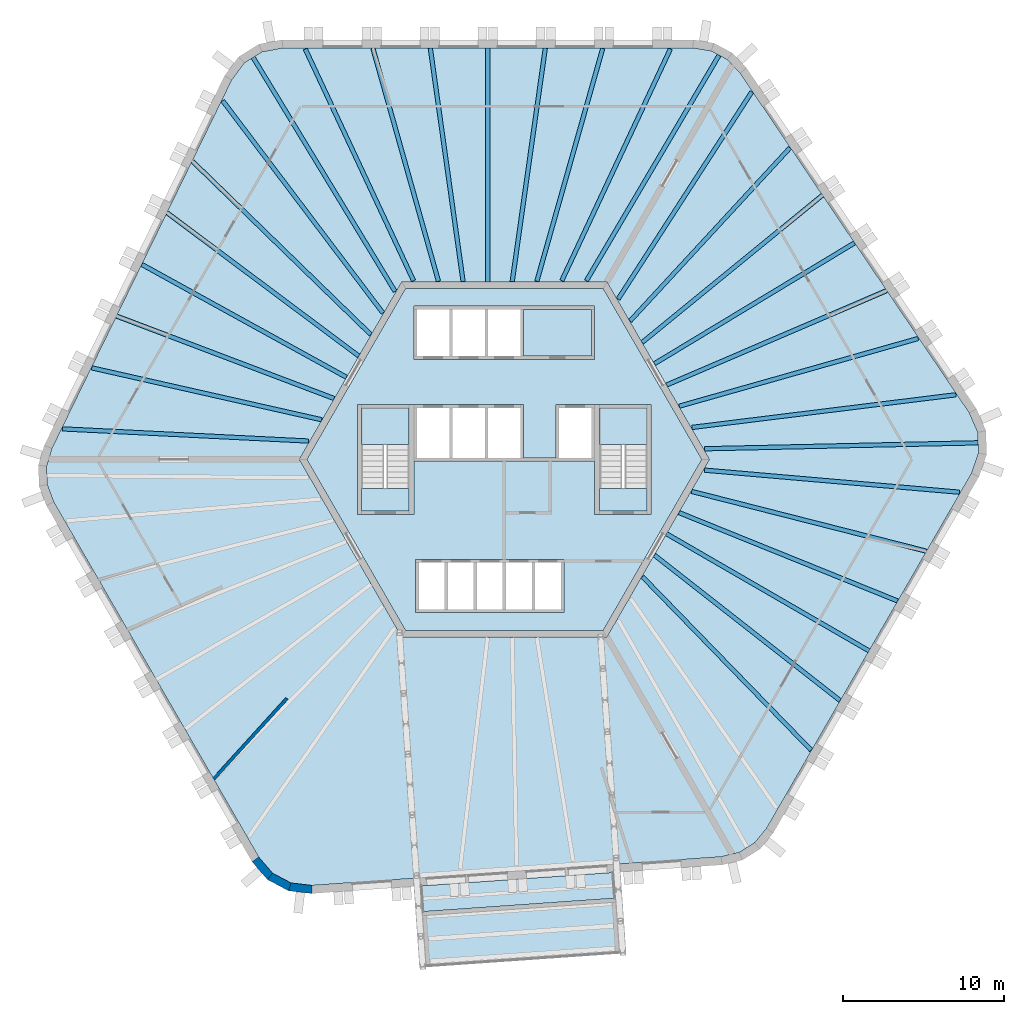
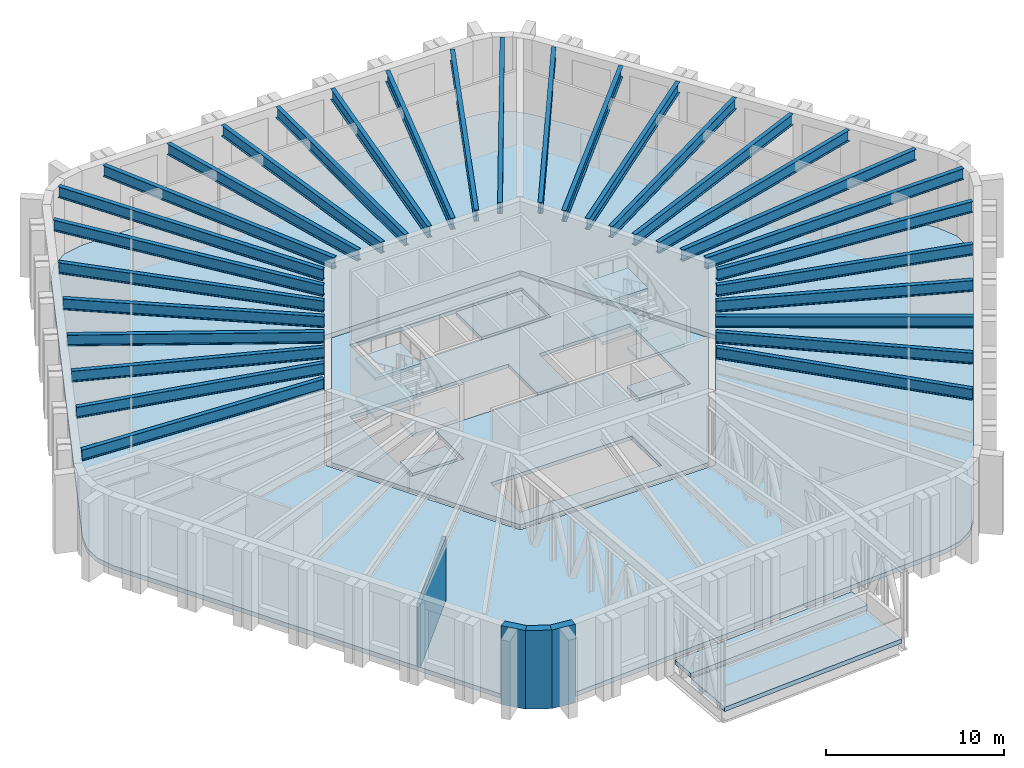
# One storey, part 2 of 9: 30 beams, 13 slabs, 4 walls, 2 elements without a shape of their own.
"""IFC4 building model written with IfcOpenShell, lengths in metres."""

from ifc_helpers import new_model, si_unit, direction, frame, frame_2d, origin, origin_2d, place, context, subcontext, project, spatial, polyline, rectangle, i_section, outline, extrude, material, layer, layer_set, material_profile, profile_set, type_object, element, aggregate, save


model = new_model("IFC4")

# Units and contexts
model_context = context("Model", 3, precision=1e-05, world=origin(), true_north=direction((0.0, 1.0)))
body_context = subcontext(model_context, "Body", "Model", "MODEL_VIEW")
ifc_project = project(units=[si_unit("LENGTHUNIT", "METRE"), si_unit("AREAUNIT", "SQUARE_METRE"), si_unit("VOLUMEUNIT", "CUBIC_METRE"), si_unit("PLANEANGLEUNIT", "RADIAN"), si_unit("MASSUNIT", "GRAM", prefix="KILO")], contexts=[model_context])

# Site, building, storey
site_placement = place(None, origin())
site = spatial("IfcSite", under=ifc_project, at=site_placement, CompositionType="ELEMENT")
building_placement = place(site_placement, origin())
building = spatial("IfcBuilding", under=site, at=building_placement, Name="Tarnside Tower", CompositionType="ELEMENT")
storey_placement = place(building_placement, frame((0.0, 0.0, 338.10009765625)))
storey = spatial("IfcBuildingStorey", under=building, at=storey_placement, Name="L82", CompositionType="ELEMENT", Elevation=338.10009765625)

# Beams
ifc_material_1 = material(Name="Steel S355", Category="steel")
ifc_material_profile_1 = material_profile(ifc_material_1, i_section(OverallWidth=0.26513671875, OverallDepth=0.75390625, WebThickness=0.0126953125, FlangeThickness=0.017578125, FilletRadius=0.0166015625, at=origin_2d()), Name="UB 762x267x147")
ifc_profile_set_1 = profile_set([ifc_material_profile_1], Name="Steel S355")
beam_type_1 = type_object("IfcBeamType", Name="Floor beam UB 762x267x147", PredefinedType="BEAM", material=ifc_profile_set_1)
beam_1_placement = place(storey_placement, frame((6.093505859375, 25.46142578125, 4.722900390625), z_axis=(-0.272147186115, -0.962255636039, 0.0), x_axis=(0.962255636039, -0.272147186115, 0.0)))
element("IfcBeam", 1, at=beam_1_placement, inside=storey, type_object=beam_type_1, Name="Floor beam F1.02", PredefinedType="BEAM", context=body_context, shape_type="SweptSolid", body=[
    extrude(i_section(OverallWidth=0.26513671875, OverallDepth=0.75390625, WebThickness=0.0126953125, FlangeThickness=0.017578125, FilletRadius=0.0166015625, at=origin_2d()), origin(), (0.0, 0.0, 1.0), 14.988525390625),
])
beam_2_placement = place(storey_placement, frame((2.537109375, 25.480224609375, 4.722900390625), z_axis=(-0.140349428967, -0.990102034029, 0.0), x_axis=(0.990102034029, -0.140349428967, 0.0)))
element("IfcBeam", 2, at=beam_2_placement, inside=storey, type_object=beam_type_1, Name="Floor beam F1.03", PredefinedType="BEAM", context=body_context, shape_type="SweptSolid", body=[
    extrude(i_section(OverallWidth=0.26513671875, OverallDepth=0.75390625, WebThickness=0.0126953125, FlangeThickness=0.017578125, FilletRadius=0.0166015625, at=origin_2d()), origin(), (0.0, 0.0, 1.0), 14.60498046875),
])
beam_3_placement = place(storey_placement, frame((-1.02490234375, 25.5, 4.722900390625), z_axis=(-0.000656653953, -0.999999784403, 0.0), x_axis=(0.999999784403, -0.000656653953, 0.0)))
element("IfcBeam", 3, at=beam_3_placement, inside=storey, type_object=beam_type_1, Name="Floor beam F1.04", PredefinedType="BEAM", context=body_context, shape_type="SweptSolid", body=[
    extrude(i_section(OverallWidth=0.26513671875, OverallDepth=0.75390625, WebThickness=0.0126953125, FlangeThickness=0.017578125, FilletRadius=0.0166015625, at=origin_2d()), origin(), (0.0, 0.0, 1.0), 14.5),
])
beam_4_placement = place(storey_placement, frame((-4.5869140625, 25.480224609375, 4.722900390625), z_axis=(0.139070897001, -0.990282427193, 0.0), x_axis=(0.990282427193, 0.139070897001, 0.0)))
element("IfcBeam", 4, at=beam_4_placement, inside=storey, type_object=beam_type_1, Name="Floor beam F1.05", PredefinedType="BEAM", context=body_context, shape_type="SweptSolid", body=[
    extrude(i_section(OverallWidth=0.26513671875, OverallDepth=0.75390625, WebThickness=0.0126953125, FlangeThickness=0.017578125, FilletRadius=0.0166015625, at=origin_2d()), origin(), (0.0, 0.0, 1.0), 14.602294921875),
])
beam_5_placement = place(storey_placement, frame((-8.1435546875, 25.46142578125, 4.722900390625), z_axis=(0.270985274434, -0.962583493023, 0.0), x_axis=(0.962583493023, 0.270985274434, 0.0)))
element("IfcBeam", 5, at=beam_5_placement, inside=storey, type_object=beam_type_1, Name="Floor beam F1.06", PredefinedType="BEAM", context=body_context, shape_type="SweptSolid", body=[
    extrude(i_section(OverallWidth=0.26513671875, OverallDepth=0.75390625, WebThickness=0.0126953125, FlangeThickness=0.017578125, FilletRadius=0.0166015625, at=origin_2d()), origin(), (0.0, 0.0, 1.0), 14.9833984375),
])
beam_6_placement = place(storey_placement, frame((-19.306640625, 18.455078125, 4.722900390625), z_axis=(0.717195036222, -0.696872499112, 0.0), x_axis=(0.696872499112, 0.717195036222, 0.0)))
element("IfcBeam", 6, at=beam_6_placement, inside=storey, type_object=beam_type_1, Name="Floor beam F2.02", PredefinedType="BEAM", context=body_context, shape_type="SweptSolid", body=[
    extrude(i_section(OverallWidth=0.26513671875, OverallDepth=0.75390625, WebThickness=0.0126953125, FlangeThickness=0.017578125, FilletRadius=0.0166015625, at=origin_2d()), origin(), (0.0, 0.0, 1.0), 15.376953125),
])
beam_7_placement = place(storey_placement, frame((-20.880615234375, 15.268310546875, 4.722900390625), z_axis=(0.801012330693, -0.598647848136, 0.0), x_axis=(0.598647848136, 0.801012330693, 0.0)))
element("IfcBeam", 7, at=beam_7_placement, inside=storey, type_object=beam_type_1, Name="Floor beam F2.03", PredefinedType="BEAM", context=body_context, shape_type="SweptSolid", body=[
    extrude(i_section(OverallWidth=0.26513671875, OverallDepth=0.75390625, WebThickness=0.0126953125, FlangeThickness=0.017578125, FilletRadius=0.0166015625, at=origin_2d()), origin(), (0.0, 0.0, 1.0), 14.800537109375),
])
beam_8_placement = place(storey_placement, frame((-22.4580078125, 12.07861328125, 4.722900390625), z_axis=(0.875665021242, -0.482919010366, 0.0), x_axis=(0.482919010366, 0.875665021242, 0.0)))
element("IfcBeam", 8, at=beam_8_placement, inside=storey, type_object=beam_type_1, Name="Floor beam F2.04", PredefinedType="BEAM", context=body_context, shape_type="SweptSolid", body=[
    extrude(i_section(OverallWidth=0.26513671875, OverallDepth=0.75390625, WebThickness=0.0126953125, FlangeThickness=0.017578125, FilletRadius=0.0166015625, at=origin_2d()), origin(), (0.0, 0.0, 1.0), 14.471435546875),
])
beam_9_placement = place(storey_placement, frame((-24.019287109375, 8.87744140625, 4.722900390625), z_axis=(0.935114701444, -0.35434516385, 0.0), x_axis=(0.35434516385, 0.935114701444, 0.0)))
element("IfcBeam", 9, at=beam_9_placement, inside=storey, type_object=beam_type_1, Name="Floor beam F2.05", PredefinedType="BEAM", context=body_context, shape_type="SweptSolid", body=[
    extrude(i_section(OverallWidth=0.26513671875, OverallDepth=0.75390625, WebThickness=0.0126953125, FlangeThickness=0.017578125, FilletRadius=0.0166015625, at=origin_2d()), origin(), (0.0, 0.0, 1.0), 14.407470703125),
])
beam_10_placement = place(storey_placement, frame((-25.561279296875, 5.67236328125, 4.722900390625), z_axis=(0.975444132584, -0.220247007263, 0.0), x_axis=(0.220247007263, 0.975444132584, 0.0)))
element("IfcBeam", 10, at=beam_10_placement, inside=storey, type_object=beam_type_1, Name="Floor beam F2.06", PredefinedType="BEAM", context=body_context, shape_type="SweptSolid", body=[
    extrude(i_section(OverallWidth=0.26513671875, OverallDepth=0.75390625, WebThickness=0.0126953125, FlangeThickness=0.017578125, FilletRadius=0.0166015625, at=origin_2d()), origin(), (0.0, 0.0, 1.0), 14.59326171875),
])
beam_11_placement = place(storey_placement, frame((-27.387451171875, 1.8916015625, 4.722900390625), z_axis=(0.998782714642, -0.04932635129, 0.0), x_axis=(0.04932635129, 0.998782714642, 0.0)))
element("IfcBeam", 11, at=beam_11_placement, inside=storey, type_object=beam_type_1, Name="Floor beam F2.07", PredefinedType="BEAM", context=body_context, shape_type="SweptSolid", body=[
    extrude(i_section(OverallWidth=0.26513671875, OverallDepth=0.75390625, WebThickness=0.0126953125, FlangeThickness=0.017578125, FilletRadius=0.0166015625, at=origin_2d()), origin(), (0.0, 0.0, 1.0), 15.279052734375),
])
beam_12_placement = place(storey_placement, frame((19.00341796875, -18.008056640625, 4.722900390625), z_axis=(-0.697249797022, 0.716828236437, 0.0), x_axis=(-0.716828236437, -0.697249797022, 0.0)))
element("IfcBeam", 12, at=beam_12_placement, inside=storey, type_object=beam_type_1, Name="Floor beam F5.02", PredefinedType="BEAM", context=body_context, shape_type="SweptSolid", body=[
    extrude(i_section(OverallWidth=0.26513671875, OverallDepth=0.75390625, WebThickness=0.0126953125, FlangeThickness=0.017578125, FilletRadius=0.0166015625, at=origin_2d()), origin(), (0.0, 0.0, 1.0), 14.98876953125),
])
beam_13_placement = place(storey_placement, frame((20.798095703125, -14.937255859375, 4.722900390625), z_axis=(-0.787282014804, 0.616593082321, 0.0), x_axis=(-0.616593082321, -0.787282014804, 0.0)))
element("IfcBeam", 13, at=beam_13_placement, inside=storey, type_object=beam_type_1, Name="Floor beam F5.03", PredefinedType="BEAM", context=body_context, shape_type="SweptSolid", body=[
    extrude(i_section(OverallWidth=0.26513671875, OverallDepth=0.75390625, WebThickness=0.0126953125, FlangeThickness=0.017578125, FilletRadius=0.0166015625, at=origin_2d()), origin(), (0.0, 0.0, 1.0), 14.60498046875),
])
beam_14_placement = place(storey_placement, frame((22.59619140625, -11.8623046875, 4.722900390625), z_axis=(-0.865697438889, 0.500567622106, 0.0), x_axis=(-0.500567622106, -0.865697438889, 0.0)))
element("IfcBeam", 14, at=beam_14_placement, inside=storey, type_object=beam_type_1, Name="Floor beam F5.04", PredefinedType="BEAM", context=body_context, shape_type="SweptSolid", body=[
    extrude(i_section(OverallWidth=0.26513671875, OverallDepth=0.75390625, WebThickness=0.0126953125, FlangeThickness=0.017578125, FilletRadius=0.0166015625, at=origin_2d()), origin(), (0.0, 0.0, 1.0), 14.500244140625),
])
beam_15_placement = place(storey_placement, frame((24.35986328125, -8.767578125, 4.722900390625), z_axis=(-0.927145907531, 0.374700501933, 0.0), x_axis=(-0.374700501933, -0.927145907531, 0.0)))
element("IfcBeam", 15, at=beam_15_placement, inside=storey, type_object=beam_type_1, Name="Floor beam F5.05", PredefinedType="BEAM", context=body_context, shape_type="SweptSolid", body=[
    extrude(i_section(OverallWidth=0.26513671875, OverallDepth=0.75390625, WebThickness=0.0126953125, FlangeThickness=0.017578125, FilletRadius=0.0166015625, at=origin_2d()), origin(), (0.0, 0.0, 1.0), 14.60205078125),
])
beam_16_placement = place(storey_placement, frame((26.1220703125, -5.67822265625, 4.722900390625), z_axis=(-0.969115089144, 0.246608888716, 0.0), x_axis=(-0.246608888716, -0.969115089144, 0.0)))
element("IfcBeam", 16, at=beam_16_placement, inside=storey, type_object=beam_type_1, Name="Floor beam F5.06", PredefinedType="BEAM", context=body_context, shape_type="SweptSolid", body=[
    extrude(i_section(OverallWidth=0.26513671875, OverallDepth=0.75390625, WebThickness=0.0126953125, FlangeThickness=0.017578125, FilletRadius=0.0166015625, at=origin_2d()), origin(), (0.0, 0.0, 1.0), 14.9833984375),
])
beam_17_placement = place(storey_placement, frame((25.635986328125, 7.492431640625, 4.722900390625), z_axis=(-0.962107707634, -0.272669688288, 0.0), x_axis=(0.272669688288, -0.962107707634, 0.0)))
element("IfcBeam", 17, at=beam_17_placement, inside=storey, type_object=beam_type_1, Name="Floor beam F6.02", PredefinedType="BEAM", context=body_context, shape_type="SweptSolid", body=[
    extrude(i_section(OverallWidth=0.26513671875, OverallDepth=0.75390625, WebThickness=0.0126953125, FlangeThickness=0.017578125, FilletRadius=0.0166015625, at=origin_2d()), origin(), (0.0, 0.0, 1.0), 15.377197265625),
])
beam_18_placement = place(storey_placement, frame((23.6630859375, 10.448974609375, 4.722900390625), z_axis=(-0.918952095754, -0.39436917439, 0.0), x_axis=(0.39436917439, -0.918952095754, 0.0)))
element("IfcBeam", 18, at=beam_18_placement, inside=storey, type_object=beam_type_1, Name="Floor beam F6.03", PredefinedType="BEAM", context=body_context, shape_type="SweptSolid", body=[
    extrude(i_section(OverallWidth=0.26513671875, OverallDepth=0.75390625, WebThickness=0.0126953125, FlangeThickness=0.017578125, FilletRadius=0.0166015625, at=origin_2d()), origin(), (0.0, 0.0, 1.0), 14.800537109375),
])
beam_19_placement = place(storey_placement, frame((21.689208984375, 13.409912109375, 4.722900390625), z_axis=(-0.856050078428, -0.516892893377, 0.0), x_axis=(0.516892893377, -0.856050078428, 0.0)))
element("IfcBeam", 19, at=beam_19_placement, inside=storey, type_object=beam_type_1, Name="Floor beam F6.04", PredefinedType="BEAM", context=body_context, shape_type="SweptSolid", body=[
    extrude(i_section(OverallWidth=0.26513671875, OverallDepth=0.75390625, WebThickness=0.0126953125, FlangeThickness=0.017578125, FilletRadius=0.0166015625, at=origin_2d()), origin(), (0.0, 0.0, 1.0), 14.470947265625),
])
beam_20_placement = place(storey_placement, frame((19.69775390625, 16.36279296875, 4.722900390625), z_axis=(-0.774434987127, -0.632653499724, 0.0), x_axis=(0.632653499724, -0.774434987127, 0.0)))
element("IfcBeam", 20, at=beam_20_placement, inside=storey, type_object=beam_type_1, Name="Floor beam F6.05", PredefinedType="BEAM", context=body_context, shape_type="SweptSolid", body=[
    extrude(i_section(OverallWidth=0.26513671875, OverallDepth=0.75390625, WebThickness=0.0126953125, FlangeThickness=0.017578125, FilletRadius=0.0166015625, at=origin_2d()), origin(), (0.0, 0.0, 1.0), 14.407470703125),
])
beam_21_placement = place(storey_placement, frame((17.693115234375, 19.30078125, 4.722900390625), z_axis=(-0.678451014629, -0.73464564298, 0.0), x_axis=(0.73464564298, -0.678451014629, 0.0)))
element("IfcBeam", 21, at=beam_21_placement, inside=storey, type_object=beam_type_1, Name="Floor beam F6.06", PredefinedType="BEAM", context=body_context, shape_type="SweptSolid", body=[
    extrude(i_section(OverallWidth=0.26513671875, OverallDepth=0.75390625, WebThickness=0.0126953125, FlangeThickness=0.017578125, FilletRadius=0.0166015625, at=origin_2d()), origin(), (0.0, 0.0, 1.0), 14.59326171875),
])
beam_22_placement = place(storey_placement, frame((15.331787109375, 22.7724609375, 4.722900390625), z_axis=(-0.542092657859, -0.840318719472, 0.0), x_axis=(0.840318719472, -0.542092657859, 0.0)))
element("IfcBeam", 22, at=beam_22_placement, inside=storey, type_object=beam_type_1, Name="Floor beam F6.07", PredefinedType="BEAM", context=body_context, shape_type="SweptSolid", body=[
    extrude(i_section(OverallWidth=0.26513671875, OverallDepth=0.75390625, WebThickness=0.0126953125, FlangeThickness=0.017578125, FilletRadius=0.0166015625, at=origin_2d()), origin(), (0.0, 0.0, 1.0), 15.279052734375),
])
ifc_material_profile_2 = material_profile(ifc_material_1, i_section(OverallWidth=0.2666015625, OverallDepth=0.76220703125, WebThickness=0.014404296875, FlangeThickness=0.021484375, FilletRadius=0.0166015625, at=origin_2d()), Name="UB 762x267x173")
ifc_profile_set_2 = profile_set([ifc_material_profile_2], Name="Steel S355")
beam_type_2 = type_object("IfcBeamType", Name="Floor beam UB 762x267x173", PredefinedType="BEAM", material=ifc_profile_set_2)
beam_23_placement = place(storey_placement, frame((10.285400390625, 25.427490234375, 4.71875), z_axis=(-0.424439399801, -0.905456346765, 0.0), x_axis=(0.905456346765, -0.424439399801, 0.0)))
element("IfcBeam", 23, at=beam_23_placement, inside=storey, type_object=beam_type_2, Name="Floor beam F1.01", PredefinedType="BEAM", context=body_context, shape_type="SweptSolid", body=[
    extrude(i_section(OverallWidth=0.2666015625, OverallDepth=0.76220703125, WebThickness=0.014404296875, FlangeThickness=0.021484375, FilletRadius=0.0166015625, at=origin_2d()), origin(), (0.0, 0.0, 1.0), 15.853759765625),
])
beam_24_placement = place(storey_placement, frame((-12.335205078125, 25.427490234375, 4.71875), z_axis=(0.423453877267, -0.905917663934, 0.0), x_axis=(0.905917663934, 0.423453877267, 0.0)))
element("IfcBeam", 24, at=beam_24_placement, inside=storey, type_object=beam_type_2, Name="Floor beam F1.07", PredefinedType="BEAM", context=body_context, shape_type="SweptSolid", body=[
    extrude(i_section(OverallWidth=0.2666015625, OverallDepth=0.76220703125, WebThickness=0.014404296875, FlangeThickness=0.021484375, FilletRadius=0.0166015625, at=origin_2d()), origin(), (0.0, 0.0, 1.0), 15.845703125),
])
beam_25_placement = place(storey_placement, frame((-15.5703125, 24.91162109375, 4.71875), z_axis=(0.518716683755, -0.854946198304, 0.0), x_axis=(0.854946198304, 0.518716683755, 0.0)))
element("IfcBeam", 25, at=beam_25_placement, inside=storey, type_object=beam_type_2, Name="Floor beam C1", PredefinedType="BEAM", context=body_context, shape_type="SweptSolid", body=[
    extrude(i_section(OverallWidth=0.2666015625, OverallDepth=0.76220703125, WebThickness=0.014404296875, FlangeThickness=0.021484375, FilletRadius=0.0166015625, at=origin_2d()), origin(), (0.0, 0.0, 1.0), 16.961181640625),
])
beam_26_placement = place(storey_placement, frame((-17.453369140625, 22.22265625, 4.71875), z_axis=(0.60257184857, -0.798064638554, 0.0), x_axis=(0.798064638554, 0.60257184857, 0.0)))
element("IfcBeam", 26, at=beam_26_placement, inside=storey, type_object=beam_type_2, Name="Floor beam F2.01", PredefinedType="BEAM", context=body_context, shape_type="SweptSolid", body=[
    extrude(i_section(OverallWidth=0.2666015625, OverallDepth=0.76220703125, WebThickness=0.014404296875, FlangeThickness=0.021484375, FilletRadius=0.0166015625, at=origin_2d()), origin(), (0.0, 0.0, 1.0), 16.474853515625),
])
beam_27_placement = place(storey_placement, frame((28.1884765625, -2.03125, 4.71875), z_axis=(-0.996273584651, 0.086249316098, 0.0), x_axis=(-0.086249316098, -0.996273584651, 0.0)))
element("IfcBeam", 27, at=beam_27_placement, inside=storey, type_object=beam_type_2, Name="Floor beam F5.07", PredefinedType="BEAM", context=body_context, shape_type="SweptSolid", body=[
    extrude(i_section(OverallWidth=0.2666015625, OverallDepth=0.76220703125, WebThickness=0.014404296875, FlangeThickness=0.021484375, FilletRadius=0.0166015625, at=origin_2d()), origin(), (0.0, 0.0, 1.0), 15.845947265625),
])
beam_28_placement = place(storey_placement, frame((29.359130859375, 1.028564453125, 4.71875), z_axis=(-0.999763142455, -0.02176370807, 0.0), x_axis=(0.02176370807, -0.999763142455, 0.0)))
element("IfcBeam", 28, at=beam_28_placement, inside=storey, type_object=beam_type_2, Name="Floor beam C5", PredefinedType="BEAM", context=body_context, shape_type="SweptSolid", body=[
    extrude(i_section(OverallWidth=0.2666015625, OverallDepth=0.76220703125, WebThickness=0.014404296875, FlangeThickness=0.021484375, FilletRadius=0.0166015625, at=origin_2d()), origin(), (0.0, 0.0, 1.0), 16.961181640625),
])
beam_29_placement = place(storey_placement, frame((27.971923828125, 4.003662109375, 4.71875), z_axis=(-0.992432359781, -0.122792553766, 0.0), x_axis=(0.122792553766, -0.992432359781, 0.0)))
element("IfcBeam", 29, at=beam_29_placement, inside=storey, type_object=beam_type_2, Name="Floor beam F6.01", PredefinedType="BEAM", context=body_context, shape_type="SweptSolid", body=[
    extrude(i_section(OverallWidth=0.2666015625, OverallDepth=0.76220703125, WebThickness=0.014404296875, FlangeThickness=0.021484375, FilletRadius=0.0166015625, at=origin_2d()), origin(), (0.0, 0.0, 1.0), 16.474609375),
])
beam_30_placement = place(storey_placement, frame((13.2978515625, 25.0341796875, 4.71875), z_axis=(-0.507080048325, -0.861898964259, 0.0), x_axis=(0.861898964259, -0.507080048325, 0.0)))
element("IfcBeam", 30, at=beam_30_placement, inside=storey, type_object=beam_type_2, Name="Floor beam C6", PredefinedType="BEAM", context=body_context, shape_type="SweptSolid", body=[
    extrude(i_section(OverallWidth=0.2666015625, OverallDepth=0.76220703125, WebThickness=0.014404296875, FlangeThickness=0.021484375, FilletRadius=0.0166015625, at=origin_2d()), origin(), (0.0, 0.0, 1.0), 16.20263671875),
])

# Slabs
ifc_material_2 = material(Name="Concrete C35/45", Category="concrete")
ifc_layer_1 = layer(ifc_material_2, 0.300048828125)
ifc_layer_set_1 = layer_set([ifc_layer_1], Name="Composite floor slab 300")
slab_type_1 = type_object("IfcSlabType", Name="Composite floor slab 300", PredefinedType="FLOOR", material=ifc_layer_set_1)
slab_1_placement = place(storey_placement, frame((0.0, 0.0, -0.300048828125)))
element("IfcSlab", 31, at=slab_1_placement, inside=storey, type_object=slab_type_1, Name="Floor slab L82", PredefinedType="FLOOR", context=body_context, shape_type="SweptSolid", body=[
    extrude(outline(polyline([(12.81689453125, 25.312744140625), (13.818115234375, 24.7802734375), (14.610595703125, 23.940185546875), (28.814697265625, 2.8818359375), (29.336669921875, 1.671875), (29.3818359375, 0.378662109375), (28.945556640625, -0.864990234375), (16.2451171875, -22.86279296875), (15.51318359375, -23.756103515625), (14.55126953125, -24.35693359375), (13.427490234375, -24.623291015625), (-11.91162109375, -26.395263671875), (-13.220458984375, -26.2421875), (-14.363037109375, -25.634765625), (-15.2216796875, -24.635009765625), (-27.922119140625, -2.63720703125), (-28.329833984375, -1.556640625), (-28.369384765625, -0.42333984375), (-28.0380859375, 0.68310546875), (-16.903076171875, 23.51318359375), (-16.1162109375, 24.5703125), (-15.018798828125, 25.256103515625), (-13.723876953125, 25.5), (11.67724609375, 25.5), (12.81689453125, 25.312744140625)]), holes=[polyline([(-12.70166015625, 0.0), (-6.350830078125, -11.0), (6.350830078125, -11.0), (12.70166015625, 0.0), (6.350830078125, 11.0), (-6.350830078125, 11.0), (-12.70166015625, 0.0)])]), origin(), (0.0, 0.0, 1.0), 0.300048828125),
])
ifc_material_3 = material(Name="Concrete C40/50", Category="concrete")
ifc_layer_2 = layer(ifc_material_3, 0.25)
ifc_layer_set_2 = layer_set([ifc_layer_2], Name="Core slab C40/50")
slab_type_2 = type_object("IfcSlabType", Name="Core slab C40/50", PredefinedType="FLOOR", material=ifc_layer_set_2)
slab_2_placement = place(storey_placement, frame((0.0, 0.0, -0.25)))
element("IfcSlab", 32, at=slab_2_placement, inside=storey, type_object=slab_type_2, Name="L82 core floor slab 1", PredefinedType="FLOOR", context=body_context, shape_type="SweptSolid", body=[
    extrude(outline(polyline([(6.119873046875, 10.60009765625), (12.23974609375, 0.0), (6.119873046875, -10.60009765625), (-6.119873046875, -10.60009765625), (-12.23974609375, 0.0), (-6.119873046875, 10.60009765625), (6.119873046875, 10.60009765625)]), holes=[polyline([(-5.5, -9.5), (3.699951171875, -9.5), (3.699951171875, -9.300048828125), (3.699951171875, -6.39990234375), (3.699951171875, -6.199951171875), (-5.5, -6.199951171875), (-5.5, -6.39990234375), (-5.5, -9.300048828125), (-5.5, -9.5)]), polyline([(-5.60009765625, -3.39990234375), (-5.60009765625, -0.10009765625), (5.60009765625, -0.10009765625), (5.60009765625, -3.39990234375), (5.89990234375, -3.39990234375), (8.85009765625, -3.39990234375), (9.10009765625, -3.39990234375), (9.10009765625, 3.39990234375), (8.85009765625, 3.39990234375), (5.89990234375, 3.39990234375), (5.60009765625, 3.39990234375), (3.39990234375, 3.39990234375), (3.199951171875, 3.39990234375), (3.199951171875, 0.10009765625), (1.199951171875, 0.10009765625), (1.199951171875, 3.39990234375), (1.0, 3.39990234375), (-5.60009765625, 3.39990234375), (-5.89990234375, 3.39990234375), (-8.85009765625, 3.39990234375), (-9.10009765625, 3.39990234375), (-9.10009765625, -3.39990234375), (-8.85009765625, -3.39990234375), (-5.89990234375, -3.39990234375), (-5.60009765625, -3.39990234375)]), polyline([(-5.60009765625, 6.199951171875), (5.60009765625, 6.199951171875), (5.60009765625, 6.39990234375), (5.60009765625, 9.300048828125), (5.60009765625, 9.5), (-5.60009765625, 9.5), (-5.60009765625, 9.300048828125), (-5.60009765625, 6.39990234375), (-5.60009765625, 6.199951171875)])]), origin(), (0.0, 0.0, 1.0), 0.25),
])
slab_3_placement = place(storey_placement, frame((0.0, 0.0, -0.25)))
element("IfcSlab", 33, at=slab_3_placement, inside=storey, type_object=slab_type_2, Name="L82 core floor slab 2", PredefinedType="FLOOR", context=body_context, shape_type="SweptSolid", body=[
    extrude(outline(polyline([(-8.85009765625, -3.199951171875), (-8.85009765625, -1.800048828125), (-5.89990234375, -1.800048828125), (-5.89990234375, -3.199951171875), (-8.85009765625, -3.199951171875)])), origin(), (0.0, 0.0, 1.0), 0.25),
])
slab_4_placement = place(storey_placement, frame((0.0, 0.0, -0.25)))
element("IfcSlab", 34, at=slab_4_placement, inside=storey, type_object=slab_type_2, Name="L82 core floor slab 3", PredefinedType="FLOOR", context=body_context, shape_type="SweptSolid", body=[
    extrude(outline(polyline([(5.89990234375, -1.800048828125), (8.85009765625, -1.800048828125), (8.85009765625, -3.199951171875), (5.89990234375, -3.199951171875), (5.89990234375, -1.800048828125)])), origin(), (0.0, 0.0, 1.0), 0.25),
])
slab_5_placement = place(storey_placement, frame((0.0, 0.0, -0.25)))
element("IfcSlab", 35, at=slab_5_placement, inside=storey, type_object=slab_type_2, Name="L82 core floor slab 4", PredefinedType="FLOOR", context=body_context, shape_type="SweptSolid", body=[
    extrude(outline(polyline([(5.39990234375, 6.39990234375), (1.199951171875, 6.39990234375), (1.199951171875, 9.300048828125), (5.39990234375, 9.300048828125), (5.39990234375, 6.39990234375)])), origin(), (0.0, 0.0, 1.0), 0.25),
])
ifc_material_4 = material(Name="Concrete C50/60", Category="concrete")
ifc_layer_3 = layer(ifc_material_4, 0.300048828125)
ifc_layer_set_3 = layer_set([ifc_layer_3], Name="Pool basin slab 300")
slab_type_3 = type_object("IfcSlabType", Name="Pool basin slab 300", PredefinedType="FLOOR", material=ifc_layer_set_3)
slab_6_placement = place(storey_placement, frame((0.0, 0.0, -0.650146484375)))
element("IfcSlab", 36, at=slab_6_placement, inside=storey, type_object=slab_type_3, Name="Sky pool basin floor", PredefinedType="FLOOR", context=body_context, shape_type="SweptSolid", body=[
    extrude(outline(polyline([(-5.082275390625, -28.022705078125), (6.888427734375, -27.185791015625), (7.12548828125, -30.577392578125), (-4.84521484375, -31.41455078125), (-5.082275390625, -28.022705078125)])), origin(), (0.0, 0.0, 1.0), 0.300048828125),
])
ifc_layer_4 = layer(ifc_material_4, 0.300048828125)
ifc_layer_set_4 = layer_set([ifc_layer_4], Name="Pool deck slab 300")
slab_type_4 = type_object("IfcSlabType", Name="Pool deck slab 300", PredefinedType="FLOOR", material=ifc_layer_set_4)
slab_7_placement = place(storey_placement, frame((0.0, 0.0, -0.300048828125)))
element("IfcSlab", 37, at=slab_7_placement, inside=storey, type_object=slab_type_4, Name="Sky pool deck", PredefinedType="FLOOR", context=body_context, shape_type="SweptSolid", body=[
    extrude(outline(polyline([(-5.194091796875, -26.4267578125), (6.77685546875, -25.589599609375), (6.888427734375, -27.185791015625), (-5.082275390625, -28.022705078125), (-5.194091796875, -26.4267578125)])), origin(), (0.0, 0.0, 1.0), 0.300048828125),
])

# Stair, slabs
stair_type = type_object("IfcStairType", Name="Exit stair 1400 clear", PredefinedType="HALF_TURN_STAIR", material=ifc_material_3)
stair_1_placement = place(storey_placement, origin())
stair_1 = element("IfcStair", 38, at=stair_1_placement, inside=storey, type_object=stair_type, Name="L82 Exit stair 1", PredefinedType="HALF_TURN_STAIR")
ifc_layer_5 = layer(ifc_material_3, 0.199951171875)
ifc_layer_set_5 = layer_set([ifc_layer_5], Name="Stair landing 200 C40/50")
slab_type_5 = type_object("IfcSlabType", Name="Stair landing 200 C40/50", PredefinedType="LANDING", material=ifc_layer_set_5)
slab_8_placement = place(storey_placement, frame((0.0, 0.0, 1.14990234375)))
slab_8 = element("IfcSlab", 39, at=slab_8_placement, type_object=slab_type_5, Name="ST1 landing 1", PredefinedType="LANDING", context=body_context, shape_type="SweptSolid", body=[
    extrude(outline(polyline([(8.85009765625, 0.919921875), (8.85009765625, 3.199951171875), (5.89990234375, 3.199951171875), (5.89990234375, 0.919921875), (8.85009765625, 0.919921875)])), origin(), (0.0, 0.0, 1.0), 0.199951171875),
])
slab_9_placement = place(storey_placement, frame((0.0, 0.0, 2.5)))
slab_9 = element("IfcSlab", 40, at=slab_9_placement, type_object=slab_type_5, Name="ST1 landing 2", PredefinedType="LANDING", context=body_context, shape_type="SweptSolid", body=[
    extrude(outline(polyline([(8.85009765625, -3.199951171875), (8.85009765625, -1.800048828125), (5.89990234375, -1.800048828125), (5.89990234375, -3.199951171875), (8.85009765625, -3.199951171875)])), origin(), (0.0, 0.0, 1.0), 0.199951171875),
])
slab_10_placement = place(storey_placement, frame((0.0, 0.0, 3.849853515625)))
slab_10 = element("IfcSlab", 41, at=slab_10_placement, type_object=slab_type_5, Name="ST1 landing 3", PredefinedType="LANDING", context=body_context, shape_type="SweptSolid", body=[
    extrude(outline(polyline([(8.85009765625, 0.919921875), (8.85009765625, 3.199951171875), (5.89990234375, 3.199951171875), (5.89990234375, 0.919921875), (8.85009765625, 0.919921875)])), origin(), (0.0, 0.0, 1.0), 0.199951171875),
])
aggregate(stair_1, [slab_8, slab_9, slab_10])

stair_2_placement = place(storey_placement, origin())
stair_2 = element("IfcStair", 42, at=stair_2_placement, inside=storey, type_object=stair_type, Name="L82 Exit stair 2", PredefinedType="HALF_TURN_STAIR")
slab_11_placement = place(storey_placement, frame((0.0, 0.0, 1.14990234375)))
slab_11 = element("IfcSlab", 43, at=slab_11_placement, type_object=slab_type_5, Name="ST2 landing 1", PredefinedType="LANDING", context=body_context, shape_type="SweptSolid", body=[
    extrude(outline(polyline([(-5.89990234375, 0.919921875), (-5.89990234375, 3.199951171875), (-8.85009765625, 3.199951171875), (-8.85009765625, 0.919921875), (-5.89990234375, 0.919921875)])), origin(), (0.0, 0.0, 1.0), 0.199951171875),
])
slab_12_placement = place(storey_placement, frame((0.0, 0.0, 2.5)))
slab_12 = element("IfcSlab", 44, at=slab_12_placement, type_object=slab_type_5, Name="ST2 landing 2", PredefinedType="LANDING", context=body_context, shape_type="SweptSolid", body=[
    extrude(outline(polyline([(-5.89990234375, -3.199951171875), (-5.89990234375, -1.800048828125), (-8.85009765625, -1.800048828125), (-8.85009765625, -3.199951171875), (-5.89990234375, -3.199951171875)])), origin(), (0.0, 0.0, 1.0), 0.199951171875),
])
slab_13_placement = place(storey_placement, frame((0.0, 0.0, 3.849853515625)))
slab_13 = element("IfcSlab", 45, at=slab_13_placement, type_object=slab_type_5, Name="ST2 landing 3", PredefinedType="LANDING", context=body_context, shape_type="SweptSolid", body=[
    extrude(outline(polyline([(-5.89990234375, 0.919921875), (-5.89990234375, 3.199951171875), (-8.85009765625, 3.199951171875), (-8.85009765625, 0.919921875), (-5.89990234375, 0.919921875)])), origin(), (0.0, 0.0, 1.0), 0.199951171875),
])
aggregate(stair_2, [slab_11, slab_12, slab_13])

# Walls
ifc_material_5 = material(Name="Facing brick", Category="masonry")
ifc_layer_6 = layer(ifc_material_5, 0.10205078125)
ifc_material_6 = material(Name="Concrete C60/75 precast", Category="concrete")
ifc_layer_7 = layer(ifc_material_6, 0.298095703125)
ifc_material_7 = material(Name="Mineral wool insulation")
ifc_layer_8 = layer(ifc_material_7, 0.10009765625)
ifc_layer_set_6 = layer_set([ifc_layer_6, ifc_layer_7, ifc_layer_8], Name="Tube wall 500 brick faced")
wall_type_1 = type_object("IfcWallType", Name="Tube wall 500 brick faced", PredefinedType="SOLIDWALL", material=ifc_layer_set_6)
wall_1_placement = place(storey_placement, frame((-15.426513671875, -24.7802734375, -0.300048828125), z_axis=(0.0, 0.0, 1.0), x_axis=(0.651616566281, -0.758548515619, 0.0)))
element("IfcWall", 46, at=wall_1_placement, inside=storey, type_object=wall_type_1, Name="Tube wall L82 F3 chord 09", PredefinedType="SOLIDWALL", context=body_context, shape_type="SweptSolid", body=[
    extrude(outline(polyline([(-0.0234375, -0.25), (1.435302734375, -0.25), (1.341064453125, 0.25), (0.0234375, 0.25), (-0.0234375, -0.25)])), origin(), (0.0, 0.0, 1.0), 5.39990234375),
])
wall_2_placement = place(storey_placement, frame((-14.52197265625, -25.833251953125, -0.300048828125), z_axis=(0.0, 0.0, 1.0), x_axis=(0.882926676147, -0.469510899286, 0.0)))
element("IfcWall", 47, at=wall_2_placement, inside=storey, type_object=wall_type_1, Name="Tube wall L82 F3 chord 10", PredefinedType="SOLIDWALL", context=body_context, shape_type="SweptSolid", body=[
    extrude(outline(polyline([(-0.047119140625, -0.25), (1.435546875, -0.25), (1.34130859375, 0.25), (0.047119140625, 0.25), (-0.047119140625, -0.25)])), origin(), (0.0, 0.0, 1.0), 5.39990234375),
])
wall_3_placement = place(storey_placement, frame((-13.296142578125, -26.485107421875, -0.300048828125), z_axis=(0.0, 0.0, 1.0), x_axis=(0.993239161627, -0.116086036245, 0.0)))
element("IfcWall", 48, at=wall_3_placement, inside=storey, type_object=wall_type_1, Name="Tube wall L82 F3 chord 11", PredefinedType="SOLIDWALL", context=body_context, shape_type="SweptSolid", body=[
    extrude(outline(polyline([(-0.047119140625, -0.25), (1.411376953125, -0.25), (1.364501953125, 0.25), (0.047119140625, 0.25), (-0.047119140625, -0.25)])), origin(), (0.0, 0.0, 1.0), 5.39990234375),
])
ifc_material_8 = material(Name="Concrete C32/40", Category="concrete")
ifc_layer_9 = layer(ifc_material_8, 0.199951171875)
ifc_layer_set_7 = layer_set([ifc_layer_9], Name="Wall 200 reinforced Concrete C32/40")
wall_type_2 = type_object("IfcWallType", Name="Wall 200 reinforced Concrete C32/40", PredefinedType="PARTITIONING", material=ifc_layer_set_7)
wall_4_placement = place(storey_placement, frame((-18.010986328125, -19.803955078125, 0.0), z_axis=(0.0, 0.0, 1.0), x_axis=(0.672762804964, 0.739858235243, 0.0)))
element("IfcWall", 49, at=wall_4_placement, inside=storey, type_object=wall_type_2, Name="Partition 009", PredefinedType="PARTITIONING", context=body_context, shape_type="SweptSolid", body=[
    extrude(rectangle(XDim=6.749755859375, YDim=0.199951171875, at=frame_2d((3.375, 0.0))), origin(), (0.0, 0.0, 1.0), 4.345947265625),
])

save(model, "model.ifc")
